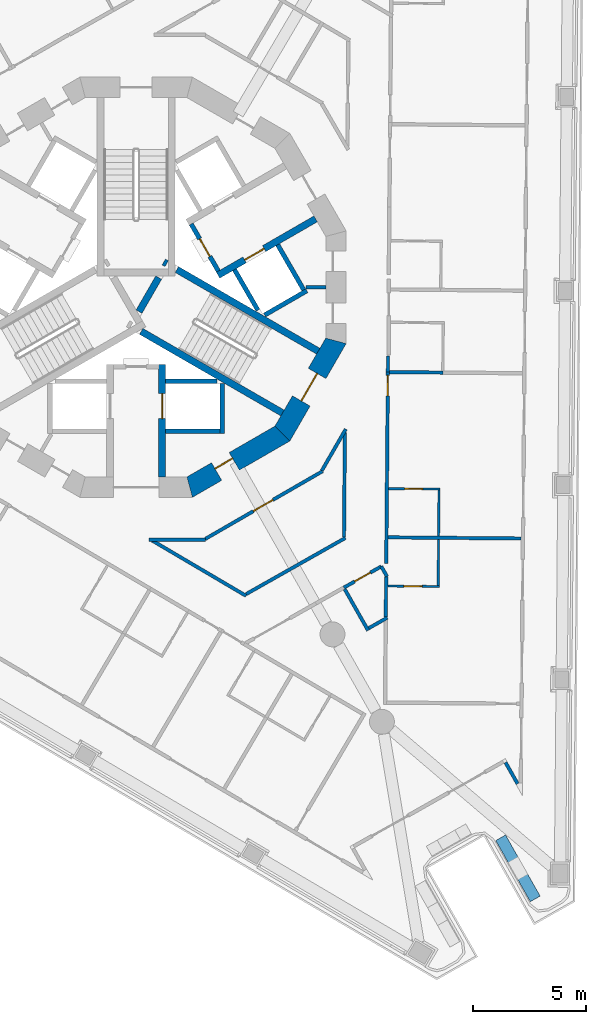
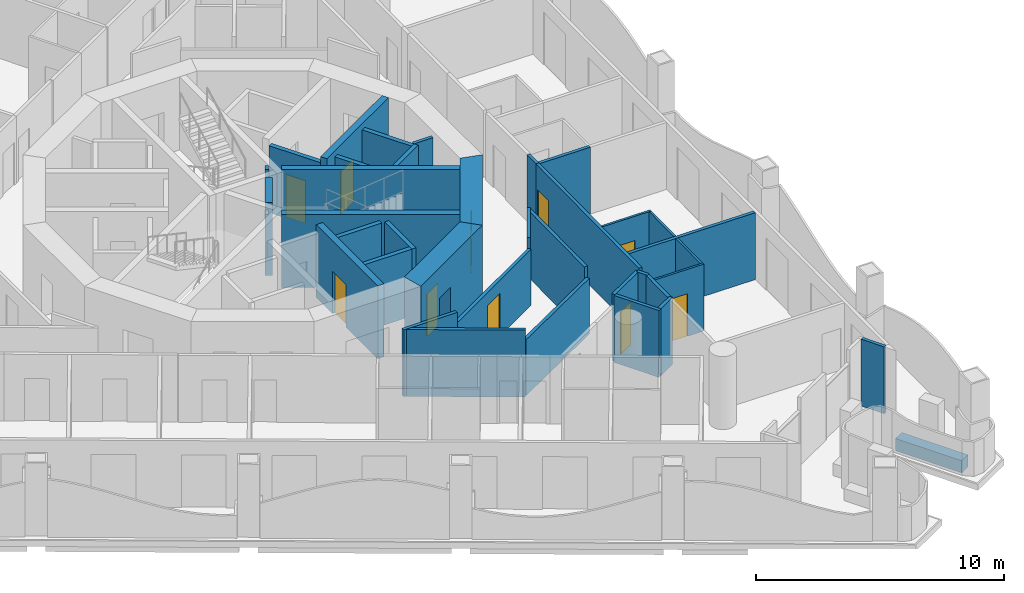
# One storey, part 5 of 17: 37 walls, 10 doors, 10 openings.
"""IFC4 building model written with IfcOpenShell, lengths in metres."""

from ifc_helpers import new_model, si_unit, direction, frame, frame_2d, origin, place, context, subcontext, project, spatial, polyline, rectangle, outline, extrude, material, layer, layer_set, type_object, element, fill, save


model = new_model("IFC4")

# Units and contexts
model_context = context("Model", 3, precision=1e-05, world=origin(), true_north=direction((0.0, 1.0)))
body_context = subcontext(model_context, "Body", "Model", "MODEL_VIEW")
ifc_project = project(units=[si_unit("LENGTHUNIT", "METRE"), si_unit("AREAUNIT", "SQUARE_METRE"), si_unit("VOLUMEUNIT", "CUBIC_METRE"), si_unit("PLANEANGLEUNIT", "RADIAN"), si_unit("MASSUNIT", "GRAM", prefix="KILO")], contexts=[model_context])

# Site, building, storey
site_placement = place(None, origin())
site = spatial("IfcSite", under=ifc_project, at=site_placement, CompositionType="ELEMENT")
building_placement = place(site_placement, origin())
building = spatial("IfcBuilding", under=site, at=building_placement, Name="Trine Commons Tower", CompositionType="ELEMENT")
storey_placement = place(building_placement, frame((0.0, 0.0, 182.699951171875)))
storey = spatial("IfcBuildingStorey", under=building, at=storey_placement, Name="L47", CompositionType="ELEMENT", Elevation=182.699951171875)

# Walls
ifc_material_1 = material(Name="Plasterboard partition on steel studs", Category="steel")
ifc_layer_1 = layer(ifc_material_1, 0.14990234375)
ifc_layer_set_1 = layer_set([ifc_layer_1], Name="Plasterboard partition on steel studs")
wall_type_1 = type_object("IfcWallType", Name="Core room partition 150 mm, EI 60", PredefinedType="PARTITIONING", material=ifc_layer_set_1)
wall_1_placement = place(storey_placement, frame((88.373046875, 62.5, 0.0), z_axis=(0.0, 0.0, 1.0), x_axis=(-1.0, 0.0, 0.0)))
element("IfcWall", 1, at=wall_1_placement, inside=storey, type_object=wall_type_1, Name="Core room partition L47", PredefinedType="PARTITIONING", context=body_context, shape_type="SweptSolid", body=[
    extrude(rectangle(XDim=0.882080078125, YDim=0.14990234375, at=frame_2d((0.44091796875, 0.0))), origin(), (0.0, 0.0, 1.0), 3.300048828125),
])
ifc_material_2 = material(Name="Aluminium-framed insulated wall panel", Category="aluminium")
ifc_layer_2 = layer(ifc_material_2, 0.14990234375)
ifc_layer_set_2 = layer_set([ifc_layer_2], Name="Aluminium-framed insulated wall panel")
wall_type_2 = type_object("IfcWallType", Name="Glazed frame wall 150, EI 60", PredefinedType="SOLIDWALL", material=ifc_layer_set_2)
wall_2_placement = place(storey_placement, frame((96.91552734375, 40.450927734375, 0.0), z_axis=(0.0, 0.0, 1.0), x_axis=(-0.492439994984, 0.870346397327, 0.0)))
element("IfcWall", 2, at=wall_2_placement, inside=storey, type_object=wall_type_2, Name="Glazed frame wall R9", PredefinedType="SOLIDWALL", context=body_context, shape_type="SweptSolid", body=[
    extrude(outline(polyline([(0.1494140625, 0.074951171875), (0.1494140625, -0.074951171875), (1.235107421875, -0.074951171875), (1.235107421875, 0.074951171875), (0.1494140625, 0.074951171875)])), origin(), (0.0, 0.0, 1.0), 3.300048828125),
])

# Wall, opening, door
ifc_material_3 = material(Name="Fire-rated gypsum shaft wall system")
ifc_layer_3 = layer(ifc_material_3, 0.199951171875)
ifc_layer_set_3 = layer_set([ifc_layer_3], Name="Fire-rated gypsum shaft wall system")
wall_type_3 = type_object("IfcWallType", Name="Lobby end wall 200 mm, EI 120", PredefinedType="PARTITIONING", material=ifc_layer_set_3)
wall_3_placement = place(storey_placement, frame((83.631103515625, 63.2109375, 0.0), z_axis=(0.0, 0.0, 1.0), x_axis=(-0.50012165622, 0.865955154139, 0.0)))
wall_3 = element("IfcWall", 3, at=wall_3_placement, inside=storey, type_object=wall_type_3, Name="Lobby end wall L47", PredefinedType="PARTITIONING", context=body_context, shape_type="SweptSolid", body=[
    extrude(rectangle(XDim=2.39990234375, YDim=0.199951171875, at=frame_2d((1.199951171875, 0.0))), origin(), (0.0, 0.0, 1.0), 3.300048828125),
])
opening_1_placement = place(wall_3_placement, frame((0.749755859375, 0.0, 0.0)))
opening_1 = element("IfcOpeningElement", 4, at=opening_1_placement, cuts=wall_3, Name="Opening K10.05", PredefinedType="OPENING", context=body_context, shape_type="SweptSolid", body=[
    extrude(rectangle(XDim=0.89990234375, YDim=2.10009765625, at=frame_2d((0.449951171875, 1.050048828125))), frame((0.0, 0.10986328125, 0.0), z_axis=(0.0, -1.0, 0.0), x_axis=(1.0, 0.0, 0.0)), (0.0, 0.0, 1.0), 0.219970703125),
])
ifc_material_4 = material(Name="Steel door leaf, fire-rated", Category="steel")
door_type_1 = type_object("IfcDoorType", Name="Riser access door, single leaf 900 x 2100, FD60", OperationType="SINGLE_SWING_LEFT", PredefinedType="DOOR", material=ifc_material_4)
door_1_placement = place(opening_1_placement, frame((0.89990234375, 0.0, 0.0), z_axis=(0.0, 0.0, 1.0), x_axis=(-1.0, 0.0, 0.0)))
door_1 = element("IfcDoor", 5, at=door_1_placement, inside=storey, type_object=door_type_1, Name="Riser door, Electrical riser L47", OperationType="SINGLE_SWING_LEFT", OverallHeight=2.10009765625, OverallWidth=0.89990234375, PredefinedType="DOOR", context=body_context, shape_type="SweptSolid", body=[
    extrude(rectangle(XDim=0.89990234375, YDim=2.10009765625, at=frame_2d((0.449951171875, 1.050048828125))), frame((0.0, 0.02490234375, 0.0), z_axis=(0.0, -1.0, 0.0), x_axis=(1.0, 0.0, 0.0)), (0.0, 0.0, 1.0), 0.050048828125),
])
fill(opening_1, door_1)

# Wall
ifc_material_5 = material(Name="Planter trough, precast concrete C40/50", Category="concrete")
ifc_layer_4 = layer(ifc_material_5, 0.5)
ifc_layer_set_4 = layer_set([ifc_layer_4], Name="Planter trough, precast concrete C40/50")
wall_type_4 = type_object("IfcWallType", Name="Planter trough 500x600", PredefinedType="PARAPET", material=ifc_layer_set_4)
wall_4_placement = place(storey_placement, frame((97.619384765625, 35.500732421875, 0.0), z_axis=(0.0, 0.0, 1.0), x_axis=(-0.492428288095, 0.870353020954, 0.0)))
element("IfcWall", 6, at=wall_4_placement, inside=storey, type_object=wall_type_4, Name="Planter 7", PredefinedType="PARAPET", context=body_context, shape_type="SweptSolid", body=[
    extrude(rectangle(XDim=3.10009765625, YDim=0.5, at=frame_2d((1.550048828125, 0.0))), origin(), (0.0, 0.0, 1.0), 0.60009765625),
])

# Wall, opening, door
ifc_material_6 = material(Name="Concrete C60/75", Category="concrete")
ifc_layer_5 = layer(ifc_material_6, 0.300048828125)
ifc_layer_set_5 = layer_set([ifc_layer_5], Name="Concrete C60/75")
wall_type_5 = type_object("IfcWallType", Name="RC shear wall 300 mm, C60/75", PredefinedType="SHEAR", material=ifc_layer_set_5)
wall_5_placement = place(storey_placement, frame((81.14990234375, 59.10009765625, 0.0), z_axis=(0.0, 0.0, 1.0), x_axis=(0.0, -1.0, 0.0)))
wall_5 = element("IfcWall", 7, at=wall_5_placement, inside=storey, type_object=wall_type_5, Name="Core cross wall SWB-04 L47", PredefinedType="SHEAR", context=body_context, shape_type="SweptSolid", body=[
    extrude(rectangle(XDim=4.97314453125, YDim=0.300048828125, at=frame_2d((2.486572265625, 0.0))), origin(), (0.0, 0.0, 1.0), 3.60009765625),
])
opening_2_placement = place(wall_5_placement, frame((1.300048828125, 0.0, 0.0)))
opening_2 = element("IfcOpeningElement", 8, at=opening_2_placement, cuts=wall_5, Name="Opening LD9", PredefinedType="OPENING", context=body_context, shape_type="SweptSolid", body=[
    extrude(rectangle(XDim=1.10009765625, YDim=2.10009765625, at=frame_2d((0.550048828125, 1.050048828125))), frame((0.0, 0.159912109375, 0.0), z_axis=(0.0, -1.0, 0.0), x_axis=(1.0, 0.0, 0.0)), (0.0, 0.0, 1.0), 0.320068359375),
])
ifc_material_7 = material(Name="Stainless steel sliding door leaves", Category="steel")
door_type_2 = type_object("IfcDoorType", Name="Lift landing door, centre-opening sliding 1100 x 2100, FD90", OperationType="DOUBLE_DOOR_SLIDING", PredefinedType="DOOR", material=ifc_material_7)
door_2_placement = place(opening_2_placement, origin())
door_2 = element("IfcDoor", 9, at=door_2_placement, inside=storey, type_object=door_type_2, Name="Lift landing door FF1 L47", OperationType="DOUBLE_DOOR_SLIDING", OverallHeight=2.10009765625, OverallWidth=1.10009765625, PredefinedType="DOOR", context=body_context, shape_type="SweptSolid", body=[
    extrude(rectangle(XDim=1.10009765625, YDim=2.10009765625, at=frame_2d((0.550048828125, 1.050048828125))), frame((0.0, 0.02490234375, 0.0), z_axis=(0.0, -1.0, 0.0), x_axis=(1.0, 0.0, 0.0)), (0.0, 0.0, 1.0), 0.050048828125),
])
fill(opening_2, door_2)

wall_6_placement = place(storey_placement, frame((83.618896484375, 63.031005859375, 0.0), z_axis=(0.0, 0.0, 1.0), x_axis=(0.866080953719, 0.499903772346, 0.0)))
wall_6 = element("IfcWall", 10, at=wall_6_placement, inside=storey, type_object=wall_type_5, Name="Core cross wall SWB-06 L47", PredefinedType="SHEAR", context=body_context, shape_type="SweptSolid", body=[
    extrude(rectangle(XDim=4.97314453125, YDim=0.300048828125, at=frame_2d((2.486572265625, 0.0))), origin(), (0.0, 0.0, 1.0), 3.60009765625),
])
opening_3_placement = place(wall_6_placement, frame((1.350341796875, 0.0, 0.0)))
opening_3 = element("IfcOpeningElement", 11, at=opening_3_placement, cuts=wall_6, Name="Opening LD6", PredefinedType="OPENING", context=body_context, shape_type="SweptSolid", body=[
    extrude(rectangle(XDim=1.0, YDim=2.10009765625, at=frame_2d((0.5, 1.050048828125))), frame((0.0, 0.159912109375, 0.0), z_axis=(0.0, -1.0, 0.0), x_axis=(1.0, 0.0, 0.0)), (0.0, 0.0, 1.0), 0.320068359375),
])
door_type_3 = type_object("IfcDoorType", Name="Lift landing door, centre-opening sliding 1000 x 2100, FD90", OperationType="DOUBLE_DOOR_SLIDING", PredefinedType="DOOR", material=ifc_material_7)
door_3_placement = place(opening_3_placement, origin())
door_3 = element("IfcDoor", 12, at=door_3_placement, inside=storey, type_object=door_type_3, Name="Lift landing door HR2 L47", OperationType="DOUBLE_DOOR_SLIDING", OverallHeight=2.10009765625, OverallWidth=1.0, PredefinedType="DOOR", context=body_context, shape_type="SweptSolid", body=[
    extrude(rectangle(XDim=1.0, YDim=2.10009765625, at=frame_2d((0.5, 1.050048828125))), frame((0.0, 0.02490234375, 0.0), z_axis=(0.0, -1.0, 0.0), x_axis=(1.0, 0.0, 0.0)), (0.0, 0.0, 1.0), 0.050048828125),
])
fill(opening_3, door_3)

# Walls
wall_7_placement = place(storey_placement, frame((80.1298828125, 61.424072265625, 0.0), z_axis=(0.0, 0.0, 1.0), x_axis=(0.500014901547, 0.866016800201, 0.0)))
element("IfcWall", 13, at=wall_7_placement, inside=storey, type_object=wall_type_5, Name="Core cross wall SWB-12 L47", PredefinedType="SHEAR", context=body_context, shape_type="SweptSolid", body=[
    extrude(rectangle(XDim=1.734375, YDim=0.300048828125, at=frame_2d((0.8671875, 0.0))), origin(), (0.0, 0.0, 1.0), 3.60009765625),
])
wall_8_placement = place(storey_placement, frame((80.22509765625, 60.552001953125, 0.0), z_axis=(0.0, 0.0, 1.0), x_axis=(0.866028135082, -0.499995269223, 0.0)))
element("IfcWall", 14, at=wall_8_placement, inside=storey, type_object=wall_type_5, Name="Core cross wall SWB-13 L47", PredefinedType="SHEAR", context=body_context, shape_type="SweptSolid", body=[
    extrude(rectangle(XDim=7.2041015625, YDim=0.300048828125, at=frame_2d((3.60205078125, 0.0))), origin(), (0.0, 0.0, 1.0), 3.60009765625),
])
wall_9_placement = place(storey_placement, frame((81.220947265625, 63.614013671875, 0.0), z_axis=(0.0, 0.0, 1.0), x_axis=(0.867737973955, -0.497021939713, 0.0)))
element("IfcWall", 15, at=wall_9_placement, inside=storey, type_object=wall_type_5, Name="Core cross wall SWB-15 L47", PredefinedType="SHEAR", context=body_context, shape_type="SweptSolid", body=[
    extrude(rectangle(XDim=0.14892578125, YDim=0.300048828125, at=frame_2d((0.074462890625, 0.0))), origin(), (0.0, 0.0, 1.0), 3.60009765625),
])
wall_10_placement = place(storey_placement, frame((81.800048828125, 63.280029296875, 0.0), z_axis=(0.0, 0.0, 1.0), x_axis=(0.866028135082, -0.499995269223, 0.0)))
element("IfcWall", 16, at=wall_10_placement, inside=storey, type_object=wall_type_5, Name="Core cross wall SWB-18 L47", PredefinedType="SHEAR", context=body_context, shape_type="SweptSolid", body=[
    extrude(rectangle(XDim=7.2041015625, YDim=0.300048828125, at=frame_2d((3.60205078125, 0.0))), origin(), (0.0, 0.0, 1.0), 3.60009765625),
])

# Wall, opening, door
ifc_layer_6 = layer(ifc_material_6, 0.89990234375)
ifc_layer_set_6 = layer_set([ifc_layer_6], Name="Concrete C60/75")
wall_type_6 = type_object("IfcWallType", Name="RC shear wall 900 mm, C60/75", PredefinedType="SHEAR", material=ifc_layer_set_6)
wall_11_placement = place(storey_placement, frame((82.259765625, 53.61669921875, 0.0), z_axis=(0.0, 0.0, 1.0), x_axis=(0.866003133579, 0.500038571144, 0.0)))
wall_11 = element("IfcWall", 17, at=wall_11_placement, inside=storey, type_object=wall_type_6, Name="Core wall CWE-11 L47", PredefinedType="SHEAR", context=body_context, shape_type="SweptSolid", body=[
    extrude(outline(polyline([(0.0, -0.449951171875), (4.96923828125, -0.449951171875), (4.72802734375, 0.449951171875), (0.2412109375, 0.449951171875), (0.0, -0.449951171875)])), origin(), (0.0, 0.0, 1.0), 3.60009765625),
])
opening_4_placement = place(wall_11_placement, frame((1.4951171875, 0.0, 0.0)))
opening_4 = element("IfcOpeningElement", 18, at=opening_4_placement, cuts=wall_11, Name="Opening K10.18", PredefinedType="OPENING", context=body_context, shape_type="SweptSolid", body=[
    extrude(rectangle(XDim=0.89990234375, YDim=2.10009765625, at=frame_2d((0.449951171875, 1.050048828125))), frame((0.0, 0.4599609375, 0.0), z_axis=(0.0, -1.0, 0.0), x_axis=(1.0, 0.0, 0.0)), (0.0, 0.0, 1.0), 0.919921875),
])
door_type_4 = type_object("IfcDoorType", Name="Core room door, single leaf 900 x 2100, FD30S", OperationType="SINGLE_SWING_LEFT", PredefinedType="DOOR", material=ifc_material_4)
door_4_placement = place(opening_4_placement, origin())
door_4 = element("IfcDoor", 19, at=door_4_placement, inside=storey, type_object=door_type_4, Name="Door to Parcel store L47", OperationType="SINGLE_SWING_LEFT", OverallHeight=2.10009765625, OverallWidth=0.89990234375, PredefinedType="DOOR", context=body_context, shape_type="SweptSolid", body=[
    extrude(rectangle(XDim=0.89990234375, YDim=2.10009765625, at=frame_2d((0.449951171875, 1.050048828125))), frame((0.0, 0.1748046875, 0.0), z_axis=(0.0, -1.0, 0.0), x_axis=(1.0, 0.0, 0.0)), (0.0, 0.0, 1.0), 0.050048828125),
])
fill(opening_4, door_4)

wall_12_placement = place(storey_placement, frame((86.3984375, 55.936767578125, 0.0), z_axis=(0.0, 0.0, 1.0), x_axis=(0.500038571144, 0.866003133579, 0.0)))
wall_12 = element("IfcWall", 20, at=wall_12_placement, inside=storey, type_object=wall_type_6, Name="Core wall CWE-12 L47", PredefinedType="SHEAR", context=body_context, shape_type="SweptSolid", body=[
    extrude(outline(polyline([(0.0, -0.449951171875), (4.96923828125, -0.449951171875), (4.72802734375, 0.449951171875), (0.2412109375, 0.449951171875), (0.0, -0.449951171875)])), origin(), (0.0, 0.0, 1.0), 3.60009765625),
])
opening_5_placement = place(wall_12_placement, frame((1.78466796875, 0.0, 0.0)))
opening_5 = element("IfcOpeningElement", 21, at=opening_5_placement, cuts=wall_12, Name="Opening K10.03", PredefinedType="OPENING", context=body_context, shape_type="SweptSolid", body=[
    extrude(rectangle(XDim=1.39990234375, YDim=2.10009765625, at=frame_2d((0.699951171875, 1.050048828125))), frame((0.0, 0.4599609375, 0.0), z_axis=(0.0, -1.0, 0.0), x_axis=(1.0, 0.0, 0.0)), (0.0, 0.0, 1.0), 0.919921875),
])
ifc_material_8 = material(Name="Steel door leaves, fire-rated", Category="steel")
door_type_5 = type_object("IfcDoorType", Name="Stair door, double leaf 1400 x 2100, FD90", OperationType="DOUBLE_DOOR_SINGLE_SWING", PredefinedType="DOOR", material=ifc_material_8)
door_5_placement = place(opening_5_placement, origin())
door_5 = element("IfcDoor", 22, at=door_5_placement, inside=storey, type_object=door_type_5, Name="Stair door to Exit stair ST3B L47", OperationType="DOUBLE_DOOR_SINGLE_SWING", OverallHeight=2.10009765625, OverallWidth=1.39990234375, PredefinedType="DOOR", context=body_context, shape_type="SweptSolid", body=[
    extrude(rectangle(XDim=1.39990234375, YDim=2.10009765625, at=frame_2d((0.699951171875, 1.050048828125))), frame((0.0, 0.02490234375, 0.0), z_axis=(0.0, -1.0, 0.0), x_axis=(1.0, 0.0, 0.0)), (0.0, 0.0, 1.0), 0.050048828125),
])
fill(opening_5, door_5)

# Walls
ifc_layer_7 = layer(ifc_material_3, 0.199951171875)
ifc_layer_set_7 = layer_set([ifc_layer_7], Name="Fire-rated gypsum shaft wall system")
wall_type_7 = type_object("IfcWallType", Name="Shaft wall 200 mm, EI 120", PredefinedType="PARTITIONING", material=ifc_layer_set_7)
wall_13_placement = place(storey_placement, frame((81.300048828125, 56.14990234375, 0.0), z_axis=(0.0, 0.0, 1.0), x_axis=(1.0, 0.0, 0.0)))
element("IfcWall", 23, at=wall_13_placement, inside=storey, type_object=wall_type_7, Name="Shaft wall L47", PredefinedType="PARTITIONING", context=body_context, shape_type="SweptSolid", body=[
    extrude(rectangle(XDim=2.39990234375, YDim=0.199951171875, at=frame_2d((1.199951171875, 0.0))), origin(), (0.0, 0.0, 1.0), 3.300048828125),
])
wall_14_placement = place(storey_placement, frame((81.300048828125, 58.35009765625, 0.0), z_axis=(0.0, 0.0, 1.0), x_axis=(1.0, 0.0, 0.0)))
element("IfcWall", 24, at=wall_14_placement, inside=storey, type_object=wall_type_7, Name="Shaft wall L47", PredefinedType="PARTITIONING", context=body_context, shape_type="SweptSolid", body=[
    extrude(rectangle(XDim=2.264892578125, YDim=0.199951171875, at=frame_2d((1.13232421875, 0.0))), origin(), (0.0, 0.0, 1.0), 3.300048828125),
])
wall_15_placement = place(storey_placement, frame((83.800048828125, 58.257080078125, 0.0), z_axis=(0.0, 0.0, 1.0), x_axis=(0.0, -1.0, 0.0)))
element("IfcWall", 25, at=wall_15_placement, inside=storey, type_object=wall_type_7, Name="Shaft wall L47", PredefinedType="PARTITIONING", context=body_context, shape_type="SweptSolid", body=[
    extrude(rectangle(XDim=2.20703125, YDim=0.199951171875, at=frame_2d((1.103515625, 0.0))), origin(), (0.0, 0.0, 1.0), 3.300048828125),
])
wall_16_placement = place(storey_placement, frame((84.343994140625, 63.27587890625, 0.0), z_axis=(0.0, 0.0, 1.0), x_axis=(0.500271688072, -0.86586848777, 0.0)))
element("IfcWall", 26, at=wall_16_placement, inside=storey, type_object=wall_type_7, Name="Shaft wall L47", PredefinedType="PARTITIONING", context=body_context, shape_type="SweptSolid", body=[
    extrude(rectangle(XDim=2.064697265625, YDim=0.199951171875, at=frame_2d((1.0322265625, 0.0))), origin(), (0.0, 0.0, 1.0), 3.300048828125),
])
wall_17_placement = place(storey_placement, frame((85.675048828125, 61.27392578125, 0.0), z_axis=(0.0, 0.0, 1.0), x_axis=(0.866102336459, 0.499866725018, 0.0)))
element("IfcWall", 27, at=wall_17_placement, inside=storey, type_object=wall_type_7, Name="Shaft wall L47", PredefinedType="PARTITIONING", context=body_context, shape_type="SweptSolid", body=[
    extrude(rectangle(XDim=2.1484375, YDim=0.199951171875, at=frame_2d((1.07421875, 0.0))), origin(), (0.0, 0.0, 1.0), 3.300048828125),
])
wall_18_placement = place(storey_placement, frame((86.2490234375, 64.3759765625, 0.0), z_axis=(0.0, 0.0, 1.0), x_axis=(0.500136062276, -0.86594683394, 0.0)))
element("IfcWall", 28, at=wall_18_placement, inside=storey, type_object=wall_type_7, Name="Shaft wall L47", PredefinedType="PARTITIONING", context=body_context, shape_type="SweptSolid", body=[
    extrude(rectangle(XDim=2.299072265625, YDim=0.199951171875, at=frame_2d((1.1494140625, 0.0))), origin(), (0.0, 0.0, 1.0), 3.300048828125),
])
ifc_material_9 = material(Name="Gypsum plasterboard on steel stud", Category="steel")
ifc_layer_8 = layer(ifc_material_9, 0.14990234375)
ifc_layer_set_8 = layer_set([ifc_layer_8], Name="Gypsum plasterboard on steel stud")
wall_type_8 = type_object("IfcWallType", Name="Unit and corridor wall 150 mm, EI 60", PredefinedType="PARTITIONING", material=ifc_layer_set_8)
wall_19_placement = place(storey_placement, frame((80.574951171875, 51.35205078125, 0.0), z_axis=(0.0, 0.0, 1.0), x_axis=(1.0, 0.0, 0.0)))
element("IfcWall", 29, at=wall_19_placement, inside=storey, type_object=wall_type_8, Name="Partition 057", PredefinedType="PARTITIONING", context=body_context, shape_type="SweptSolid", body=[
    extrude(rectangle(XDim=2.487060546875, YDim=0.14990234375, at=frame_2d((1.24365234375, 0.0))), origin(), (0.0, 0.0, 1.0), 3.300048828125),
])
wall_20_placement = place(storey_placement, frame((80.718505859375, 51.31396484375, 0.0), z_axis=(0.0, 0.0, 1.0), x_axis=(0.86168823453, -0.507438061711, 0.0)))
element("IfcWall", 30, at=wall_20_placement, inside=storey, type_object=wall_type_8, Name="Partition 058", PredefinedType="PARTITIONING", context=body_context, shape_type="SweptSolid", body=[
    extrude(rectangle(XDim=4.798828125, YDim=0.14990234375, at=frame_2d((2.3994140625, 0.0))), origin(), (0.0, 0.0, 1.0), 3.300048828125),
])

# Wall, opening, door
wall_21_placement = place(storey_placement, frame((83.052001953125, 51.389404296875, 0.0), z_axis=(0.0, 0.0, 1.0), x_axis=(0.866039280689, 0.499975963725, 0.0)))
wall_21 = element("IfcWall", 31, at=wall_21_placement, inside=storey, type_object=wall_type_8, Name="Partition 068", PredefinedType="PARTITIONING", context=body_context, shape_type="SweptSolid", body=[
    extrude(rectangle(XDim=5.974365234375, YDim=0.14990234375, at=frame_2d((2.9873046875, 0.0))), origin(), (0.0, 0.0, 1.0), 2.75),
])
opening_6_placement = place(wall_21_placement, frame((2.44970703125, 0.0, 0.0)))
opening_6 = element("IfcOpeningElement", 32, at=opening_6_placement, cuts=wall_21, Name="Opening D-5C29", PredefinedType="OPENING", context=body_context, shape_type="SweptSolid", body=[
    extrude(rectangle(XDim=1.0, YDim=2.10009765625, at=frame_2d((0.5, 1.050048828125))), frame((0.0, 0.0849609375, 0.0), z_axis=(0.0, -1.0, 0.0), x_axis=(1.0, 0.0, 0.0)), (0.0, 0.0, 1.0), 0.169921875),
])
ifc_material_10 = material(Name="Painted timber", Category="wood")
door_type_6 = type_object("IfcDoorType", Name="Amenity room door 1000 x 2100, NOT RATED", OperationType="NOTDEFINED", PredefinedType="DOOR", material=ifc_material_10)
door_6_placement = place(opening_6_placement, frame((1.0, 0.0, 0.0), z_axis=(0.0, 0.0, 1.0), x_axis=(-1.0, 0.0, 0.0)))
door_6 = element("IfcDoor", 33, at=door_6_placement, inside=storey, type_object=door_type_6, Name="Door D-5C29", OperationType="SINGLE_SWING_RIGHT", OverallHeight=2.10009765625, OverallWidth=1.0, PredefinedType="DOOR", context=body_context, shape_type="SweptSolid", body=[
    extrude(rectangle(XDim=1.0, YDim=2.10009765625, at=frame_2d((0.5, 1.050048828125))), frame((0.0, 0.02490234375, 0.0), z_axis=(0.0, -1.0, 0.0), x_axis=(1.0, 0.0, 0.0)), (0.0, 0.0, 1.0), 0.050048828125),
])
fill(opening_6, door_6)

# Walls
wall_22_placement = place(storey_placement, frame((84.854248046875, 48.953857421875, 0.0), z_axis=(0.0, 0.0, 1.0), x_axis=(0.870410364257, 0.492326921662, 0.0)))
element("IfcWall", 34, at=wall_22_placement, inside=storey, type_object=wall_type_8, Name="Partition 079", PredefinedType="PARTITIONING", context=body_context, shape_type="SweptSolid", body=[
    extrude(rectangle(XDim=5.041259765625, YDim=0.14990234375, at=frame_2d((2.5205078125, 0.0))), origin(), (0.0, 0.0, 1.0), 2.75),
])
wall_23_placement = place(storey_placement, frame((88.198486328125, 54.404052734375, 0.0), z_axis=(0.0, 0.0, 1.0), x_axis=(0.499882057835, 0.866093487018, 0.0)))
element("IfcWall", 35, at=wall_23_placement, inside=storey, type_object=wall_type_8, Name="Partition 094", PredefinedType="PARTITIONING", context=body_context, shape_type="SweptSolid", body=[
    extrude(rectangle(XDim=2.11865234375, YDim=0.14990234375, at=frame_2d((1.059326171875, 0.0))), origin(), (0.0, 0.0, 1.0), 3.300048828125),
])

# Wall, opening, door
wall_24_placement = place(storey_placement, frame((89.16796875, 49.239013671875, 0.0), z_axis=(0.0, 0.0, 1.0), x_axis=(0.870049645281, 0.492964111013, 0.0)))
wall_24 = element("IfcWall", 36, at=wall_24_placement, inside=storey, type_object=wall_type_8, Name="Partition 099", PredefinedType="PARTITIONING", context=body_context, shape_type="SweptSolid", body=[
    extrude(rectangle(XDim=1.90673828125, YDim=0.14990234375, at=frame_2d((0.953369140625, 0.0))), origin(), (0.0, 0.0, 1.0), 3.300048828125),
])
opening_7_placement = place(wall_24_placement, frame((0.553466796875, 0.0, 0.0)))
opening_7 = element("IfcOpeningElement", 37, at=opening_7_placement, cuts=wall_24, Name="Opening D-5C04", PredefinedType="OPENING", context=body_context, shape_type="SweptSolid", body=[
    extrude(rectangle(XDim=0.800048828125, YDim=2.10009765625, at=frame_2d((0.39990234375, 1.050048828125))), frame((0.0, 0.0849609375, 0.0), z_axis=(0.0, -1.0, 0.0), x_axis=(1.0, 0.0, 0.0)), (0.0, 0.0, 1.0), 0.169921875),
])
door_type_7 = type_object("IfcDoorType", Name="Toilet door 800 x 2100, NOT RATED", OperationType="NOTDEFINED", PredefinedType="DOOR", material=ifc_material_10)
door_7_placement = place(opening_7_placement, frame((0.800048828125, 0.0, 0.0), z_axis=(0.0, 0.0, 1.0), x_axis=(-1.0, 0.0, 0.0)))
door_7 = element("IfcDoor", 38, at=door_7_placement, inside=storey, type_object=door_type_7, Name="Door D-5C04", OperationType="SINGLE_SWING_LEFT", OverallHeight=2.10009765625, OverallWidth=0.800048828125, PredefinedType="DOOR", context=body_context, shape_type="SweptSolid", body=[
    extrude(rectangle(XDim=0.800048828125, YDim=2.10009765625, at=frame_2d((0.39990234375, 1.050048828125))), frame((0.0, 0.02490234375, 0.0), z_axis=(0.0, -1.0, 0.0), x_axis=(1.0, 0.0, 0.0)), (0.0, 0.0, 1.0), 0.050048828125),
])
fill(opening_7, door_7)

# Walls
wall_25_placement = place(storey_placement, frame((89.2080078125, 49.17578125, 0.0), z_axis=(0.0, 0.0, 1.0), x_axis=(0.492490202922, -0.870317987879, 0.0)))
element("IfcWall", 39, at=wall_25_placement, inside=storey, type_object=wall_type_8, Name="Partition 100", PredefinedType="PARTITIONING", context=body_context, shape_type="SweptSolid", body=[
    extrude(rectangle(XDim=2.099365234375, YDim=0.14990234375, at=frame_2d((1.0498046875, 0.0))), origin(), (0.0, 0.0, 1.0), 3.300048828125),
])
wall_26_placement = place(storey_placement, frame((89.177490234375, 51.47412109375, 0.0), z_axis=(0.0, 0.0, 1.0), x_axis=(0.008609896903, 0.999962934151, 0.0)))
element("IfcWall", 40, at=wall_26_placement, inside=storey, type_object=wall_type_8, Name="Partition 101", PredefinedType="PARTITIONING", context=body_context, shape_type="SweptSolid", body=[
    extrude(rectangle(XDim=4.6220703125, YDim=0.14990234375, at=frame_2d((2.31103515625, 0.0))), origin(), (0.0, 0.0, 1.0), 3.300048828125),
])
wall_27_placement = place(storey_placement, frame((90.270263671875, 47.450927734375, 0.0), z_axis=(0.0, 0.0, 1.0), x_axis=(0.870538616766, 0.492100108432, 0.0)))
element("IfcWall", 41, at=wall_27_placement, inside=storey, type_object=wall_type_8, Name="Partition 103", PredefinedType="PARTITIONING", context=body_context, shape_type="SweptSolid", body=[
    extrude(rectangle(XDim=0.938720703125, YDim=0.14990234375, at=frame_2d((0.46923828125, 0.0))), origin(), (0.0, 0.0, 1.0), 3.300048828125),
])
wall_28_placement = place(storey_placement, frame((90.823974609375, 50.177001953125, 0.0), z_axis=(0.0, 0.0, 1.0), x_axis=(0.493654600783, -0.869658056437, 0.0)))
element("IfcWall", 42, at=wall_28_placement, inside=storey, type_object=wall_type_8, Name="Partition 104", PredefinedType="PARTITIONING", context=body_context, shape_type="SweptSolid", body=[
    extrude(rectangle(XDim=0.50830078125, YDim=0.14990234375, at=frame_2d((0.254150390625, 0.0))), origin(), (0.0, 0.0, 1.0), 3.300048828125),
])
wall_29_placement = place(storey_placement, frame((91.022705078125, 47.950927734375, 0.0), z_axis=(0.0, 0.0, 1.0), x_axis=(0.008256220588, 0.99996591683, 0.0)))
element("IfcWall", 43, at=wall_29_placement, inside=storey, type_object=wall_type_8, Name="Partition 107", PredefinedType="PARTITIONING", context=body_context, shape_type="SweptSolid", body=[
    extrude(rectangle(XDim=1.774169921875, YDim=0.14990234375, at=frame_2d((0.88720703125, 0.0))), origin(), (0.0, 0.0, 1.0), 3.300048828125),
])

# Wall, opening, door
wall_30_placement = place(storey_placement, frame((91.0419921875, 50.300048828125, 0.0), z_axis=(0.0, 0.0, 1.0), x_axis=(0.008752775488, 0.999961693727, 0.0)))
wall_30 = element("IfcWall", 44, at=wall_30_placement, inside=storey, type_object=wall_type_8, Name="Partition 109", PredefinedType="PARTITIONING", context=body_context, shape_type="SweptSolid", body=[
    extrude(rectangle(XDim=8.53515625, YDim=0.14990234375, at=frame_2d((4.267578125, 0.0))), origin(), (0.0, 0.0, 1.0), 3.300048828125),
])
opening_8_placement = place(wall_30_placement, frame((7.40625, 0.0, 0.0)))
opening_8 = element("IfcOpeningElement", 45, at=opening_8_placement, cuts=wall_30, Name="Opening D-5C18", PredefinedType="OPENING", context=body_context, shape_type="SweptSolid", body=[
    extrude(rectangle(XDim=0.89990234375, YDim=2.10009765625, at=frame_2d((0.449951171875, 1.050048828125))), frame((0.0, 0.0849609375, 0.0), z_axis=(0.0, -1.0, 0.0), x_axis=(1.0, 0.0, 0.0)), (0.0, 0.0, 1.0), 0.169921875),
])
ifc_material_11 = material(Name="Timber fire door set", Category="wood")
door_type_8 = type_object("IfcDoorType", Name="Bedroom door 900 x 2100, FD30S", OperationType="NOTDEFINED", PredefinedType="DOOR", material=ifc_material_11)
door_8_placement = place(opening_8_placement, frame((0.89990234375, 0.0, 0.0), z_axis=(0.0, 0.0, 1.0), x_axis=(-1.0, 0.0, 0.0)))
door_8 = element("IfcDoor", 46, at=door_8_placement, inside=storey, type_object=door_type_8, Name="Door D-5C18", OperationType="SINGLE_SWING_LEFT", OverallHeight=2.10009765625, OverallWidth=0.89990234375, PredefinedType="DOOR", context=body_context, shape_type="SweptSolid", body=[
    extrude(rectangle(XDim=0.89990234375, YDim=2.10009765625, at=frame_2d((0.449951171875, 1.050048828125))), frame((0.0, 0.02490234375, 0.0), z_axis=(0.0, -1.0, 0.0), x_axis=(1.0, 0.0, 0.0)), (0.0, 0.0, 1.0), 0.050048828125),
])
fill(opening_8, door_8)

# Walls
wall_31_placement = place(storey_placement, frame((91.126953125, 51.460205078125, 0.0), z_axis=(0.0, 0.0, 1.0), x_axis=(0.999962273479, -0.008686289076, 0.0)))
element("IfcWall", 47, at=wall_31_placement, inside=storey, type_object=wall_type_8, Name="Partition 110", PredefinedType="PARTITIONING", context=body_context, shape_type="SweptSolid", body=[
    extrude(rectangle(XDim=5.874267578125, YDim=0.14990234375, at=frame_2d((2.93701171875, 0.0))), origin(), (0.0, 0.0, 1.0), 3.300048828125),
])
wall_32_placement = place(storey_placement, frame((91.115966796875, 58.751953125, 0.0), z_axis=(0.0, 0.0, 1.0), x_axis=(0.008511778806, 0.999963774155, 0.0)))
element("IfcWall", 48, at=wall_32_placement, inside=storey, type_object=wall_type_8, Name="Partition 112", PredefinedType="PARTITIONING", context=body_context, shape_type="SweptSolid", body=[
    extrude(rectangle(XDim=0.717041015625, YDim=0.14990234375, at=frame_2d((0.3583984375, 0.0))), origin(), (0.0, 0.0, 1.0), 3.300048828125),
])
wall_33_placement = place(storey_placement, frame((91.19091796875, 58.75537109375, 0.0), z_axis=(0.0, 0.0, 1.0), x_axis=(0.999958111016, -0.009152934655, 0.0)))
element("IfcWall", 49, at=wall_33_placement, inside=storey, type_object=wall_type_8, Name="Partition 113", PredefinedType="PARTITIONING", context=body_context, shape_type="SweptSolid", body=[
    extrude(rectangle(XDim=2.34716796875, YDim=0.14990234375, at=frame_2d((1.173583984375, 0.0))), origin(), (0.0, 0.0, 1.0), 3.300048828125),
])

# Wall, opening, door
ifc_layer_9 = layer(ifc_material_9, 0.10009765625)
ifc_layer_set_9 = layer_set([ifc_layer_9], Name="Gypsum plasterboard on steel stud")
wall_type_9 = type_object("IfcWallType", Name="Unit partition 100 mm, no rating", PredefinedType="PARTITIONING", material=ifc_layer_set_9)
wall_34_placement = place(storey_placement, frame((91.10888671875, 49.311279296875, 0.0), z_axis=(0.0, 0.0, 1.0), x_axis=(0.999958404904, -0.009120770943, 0.0)))
wall_34 = element("IfcWall", 50, at=wall_34_placement, inside=storey, type_object=wall_type_9, Name="Partition 108", PredefinedType="PARTITIONING", context=body_context, shape_type="SweptSolid", body=[
    extrude(rectangle(XDim=2.275146484375, YDim=0.10009765625, at=frame_2d((1.1376953125, 0.0))), origin(), (0.0, 0.0, 1.0), 3.300048828125),
])
opening_9_placement = place(wall_34_placement, frame((0.71240234375, 0.0, 0.0)))
opening_9 = element("IfcOpeningElement", 51, at=opening_9_placement, cuts=wall_34, Name="Opening D-5C45", PredefinedType="OPENING", context=body_context, shape_type="SweptSolid", body=[
    extrude(rectangle(XDim=0.800048828125, YDim=2.10009765625, at=frame_2d((0.39990234375, 1.050048828125))), frame((0.0, 0.06005859375, 0.0), z_axis=(0.0, -1.0, 0.0), x_axis=(1.0, 0.0, 0.0)), (0.0, 0.0, 1.0), 0.1201171875),
])
door_type_9 = type_object("IfcDoorType", Name="Internal door 800 x 2100, NOT RATED", OperationType="NOTDEFINED", PredefinedType="DOOR", material=ifc_material_10)
door_9_placement = place(opening_9_placement, frame((0.800048828125, 0.0, 0.0), z_axis=(0.0, 0.0, 1.0), x_axis=(-1.0, 0.0, 0.0)))
door_9 = element("IfcDoor", 52, at=door_9_placement, inside=storey, type_object=door_type_9, Name="Door D-5C45", OperationType="SINGLE_SWING_RIGHT", OverallHeight=2.10009765625, OverallWidth=0.800048828125, PredefinedType="DOOR", context=body_context, shape_type="SweptSolid", body=[
    extrude(rectangle(XDim=0.800048828125, YDim=2.10009765625, at=frame_2d((0.39990234375, 1.050048828125))), frame((0.0, 0.02490234375, 0.0), z_axis=(0.0, -1.0, 0.0), x_axis=(1.0, 0.0, 0.0)), (0.0, 0.0, 1.0), 0.050048828125),
])
fill(opening_9, door_9)

wall_35_placement = place(storey_placement, frame((91.14599609375, 53.6103515625, 0.0), z_axis=(0.0, 0.0, 1.0), x_axis=(0.999962219299, -0.008692524121, 0.0)))
wall_35 = element("IfcWall", 53, at=wall_35_placement, inside=storey, type_object=wall_type_9, Name="Partition 111", PredefinedType="PARTITIONING", context=body_context, shape_type="SweptSolid", body=[
    extrude(rectangle(XDim=2.27490234375, YDim=0.10009765625, at=frame_2d((1.137451171875, 0.0))), origin(), (0.0, 0.0, 1.0), 3.300048828125),
])
opening_10_placement = place(wall_35_placement, frame((0.71240234375, 0.0, 0.0)))
opening_10 = element("IfcOpeningElement", 54, at=opening_10_placement, cuts=wall_35, Name="Opening D-5C44", PredefinedType="OPENING", context=body_context, shape_type="SweptSolid", body=[
    extrude(rectangle(XDim=0.800048828125, YDim=2.10009765625, at=frame_2d((0.39990234375, 1.050048828125))), frame((0.0, 0.06005859375, 0.0), z_axis=(0.0, -1.0, 0.0), x_axis=(1.0, 0.0, 0.0)), (0.0, 0.0, 1.0), 0.1201171875),
])
door_10_placement = place(opening_10_placement, origin())
door_10 = element("IfcDoor", 55, at=door_10_placement, inside=storey, type_object=door_type_9, Name="Door D-5C44", OperationType="SINGLE_SWING_LEFT", OverallHeight=2.10009765625, OverallWidth=0.800048828125, PredefinedType="DOOR", context=body_context, shape_type="SweptSolid", body=[
    extrude(rectangle(XDim=0.800048828125, YDim=2.10009765625, at=frame_2d((0.39990234375, 1.050048828125))), frame((0.0, 0.02490234375, 0.0), z_axis=(0.0, -1.0, 0.0), x_axis=(1.0, 0.0, 0.0)), (0.0, 0.0, 1.0), 0.050048828125),
])
fill(opening_10, door_10)

# Walls
for number, where, z_axis, x_axis, name in (
    (56, (93.33447265625, 49.341064453125, 0.0), (0.0, 0.0, 1.0), (0.008318979066, 0.999965396695, 0.0), "Partition 128"),
    (57, (93.352783203125, 51.51611328125, 0.0), (0.0, 0.0, 1.0), (0.008801202389, 0.999961268668, 0.0), "Partition 129"),
):
    element("IfcWall", number, at=place(storey_placement, frame(where, z_axis=z_axis, x_axis=x_axis)), inside=storey, type_object=wall_type_9, Name=name, PredefinedType="PARTITIONING", context=body_context, shape_type="SweptSolid", body=[
        extrude(rectangle(XDim=2.02490234375, YDim=0.10009765625, at=frame_2d((1.012451171875, 0.0))), origin(), (0.0, 0.0, 1.0), 3.300048828125),
    ])

save(model, "model.ifc")
